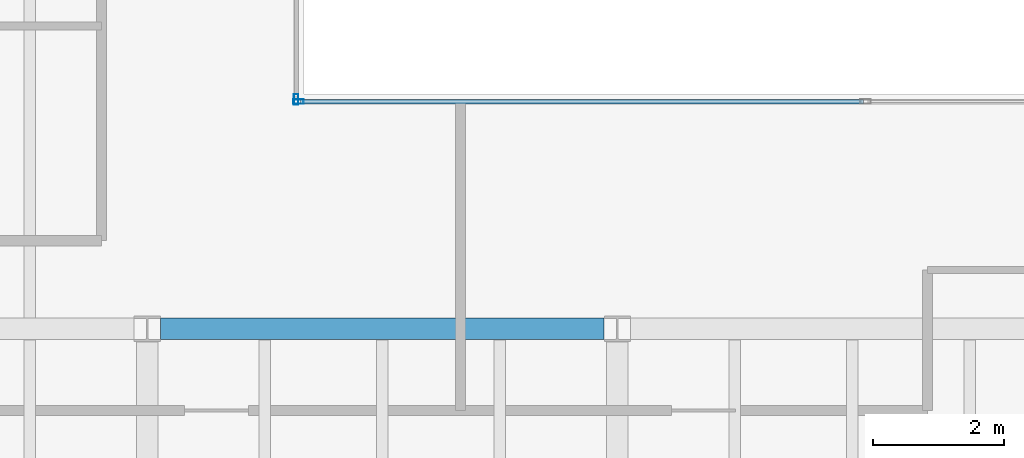
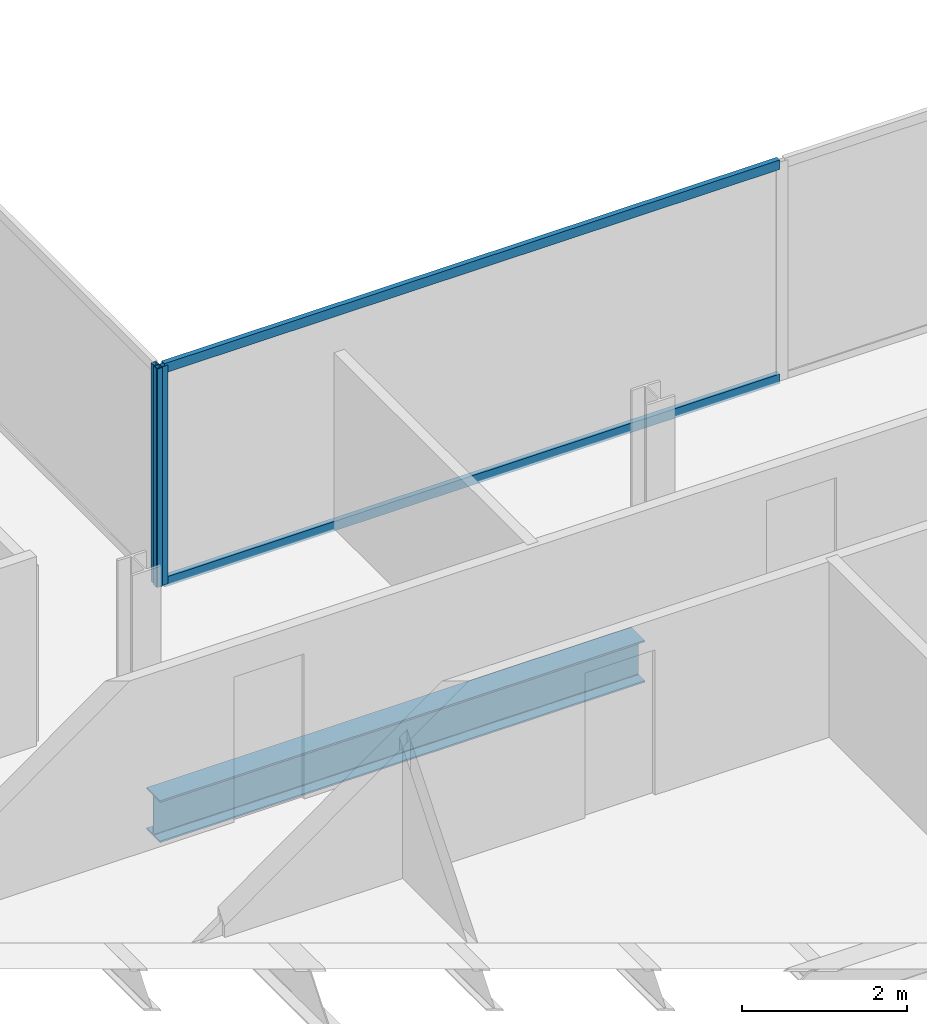
# One storey, part 8 of 23: 4 members, 1 beam, 2 elements without a shape of their own.
"""IFC4 building model written with IfcOpenShell, lengths in metres."""

from ifc_helpers import new_model, si_unit, direction, frame, origin, origin_2d, place, context, subcontext, project, spatial, hollow_rectangle, i_section, extrude, material, material_profile, profile_set, type_object, element, aggregate, save


model = new_model("IFC4")

# Units and contexts
model_context = context("Model", 3, precision=1e-05, world=origin(), true_north=direction((0.0, 1.0)))
body_context = subcontext(model_context, "Body", "Model", "MODEL_VIEW")
ifc_project = project(units=[si_unit("LENGTHUNIT", "METRE"), si_unit("AREAUNIT", "SQUARE_METRE"), si_unit("VOLUMEUNIT", "CUBIC_METRE"), si_unit("PLANEANGLEUNIT", "RADIAN"), si_unit("MASSUNIT", "GRAM", prefix="KILO")], contexts=[model_context])

# Site, building, storey
site_placement = place(None, origin())
site = spatial("IfcSite", under=ifc_project, at=site_placement, CompositionType="ELEMENT")
building_placement = place(site_placement, origin())
building = spatial("IfcBuilding", under=site, at=building_placement, Name="Cobrela Telecom Tower", CompositionType="ELEMENT")
storey_placement = place(building_placement, frame((0.0, 0.0, 190.75)))
storey = spatial("IfcBuildingStorey", under=building, at=storey_placement, Name="L48", CompositionType="ELEMENT", Elevation=190.75)

# Beam
ifc_material_1 = material(Name="Steel ASTM A992 Grade 50", Category="steel")
ifc_material_profile_1 = material_profile(ifc_material_1, i_section(OverallWidth=0.327880859375, OverallDepth=0.6220703125, WebThickness=0.015380859375, FlangeThickness=0.0244140625, FilletRadius=0.014892578125, at=origin_2d()), Name="W24X131")
ifc_profile_set_1 = profile_set([ifc_material_profile_1], Name="Steel ASTM A992 Grade 50")
beam_type = type_object("IfcBeamType", Name="BM-GIRD-06", PredefinedType="USERDEFINED", material=ifc_profile_set_1)
beam_placement = place(storey_placement, frame((21.804443359375, 21.60009765625, -0.571044921875), z_axis=(1.0, 0.0, 0.0), x_axis=(0.0, 1.0, 0.0)))
element("IfcBeam", 1, at=beam_placement, inside=storey, type_object=beam_type, Name="L48 Primary Girder X16", ObjectType="GIRDER", PredefinedType="USERDEFINED", context=body_context, shape_type="SweptSolid", body=[
    extrude(i_section(OverallWidth=0.327880859375, OverallDepth=0.6220703125, WebThickness=0.015380859375, FlangeThickness=0.0244140625, FilletRadius=0.014892578125, at=origin_2d()), origin(), (0.0, 0.0, 1.0), 6.791015625),
])

# Curtain wall, member
ifc_material_2 = material(Name="Anodized Bronze Aluminium 6063-T6", Category="aluminium")
curtain_wall_type = type_object("IfcCurtainWallType", Name="CW-SYS-OFF-LO", PredefinedType="USERDEFINED", material=ifc_material_2)
curtain_wall_1_placement = place(storey_placement, origin())
curtain_wall_1 = element("IfcCurtainWall", 2, at=curtain_wall_1_placement, inside=storey, type_object=curtain_wall_type, Name="L48 Unitised Bronze Curtain Wall 10", ObjectType="UNITISED CURTAIN WALL", PredefinedType="USERDEFINED")
ifc_material_profile_2 = material_profile(ifc_material_2, hollow_rectangle(XDim=0.070068359375, YDim=0.159912109375, WallThickness=0.00390625, at=origin_2d()), Name="ALU 70x160x4")
ifc_profile_set_2 = profile_set([ifc_material_profile_2], Name="Anodized Bronze Aluminium 6063-T6")
member_type_1 = type_object("IfcMemberType", Name="CW-SYS-OFF-LO-MUL", PredefinedType="MULLION", material=ifc_profile_set_2)
member_1_placement = place(storey_placement, frame((23.8798828125, 25.114990234375, 0.0), z_axis=(0.0, 0.0, 1.0), x_axis=(1.0, 0.0, 0.0)))
member_1 = element("IfcMember", 3, at=member_1_placement, type_object=member_type_1, Name="CW-OFF-LO mullion 3", PredefinedType="MULLION", context=body_context, shape_type="SweptSolid", body=[
    extrude(hollow_rectangle(XDim=0.070068359375, YDim=0.159912109375, WallThickness=0.00390625, at=origin_2d()), origin(), (0.0, 0.0, 1.0), 3.239990234375),
])
aggregate(curtain_wall_1, [member_1])

# Curtain wall, members
curtain_wall_2_placement = place(storey_placement, origin())
curtain_wall_2 = element("IfcCurtainWall", 4, at=curtain_wall_2_placement, inside=storey, type_object=curtain_wall_type, Name="L48 Unitised Bronze Curtain Wall 11", ObjectType="UNITISED CURTAIN WALL", PredefinedType="USERDEFINED")
member_2_placement = place(storey_placement, frame((23.9150390625, 25.080078125, 0.0), z_axis=(0.0, 0.0, 1.0), x_axis=(0.0, 1.0, 0.0)))
member_2 = element("IfcMember", 5, at=member_2_placement, type_object=member_type_1, Name="CW-OFF-LO mullion 1", PredefinedType="MULLION", context=body_context, shape_type="SweptSolid", body=[
    extrude(hollow_rectangle(XDim=0.070068359375, YDim=0.159912109375, WallThickness=0.00390625, at=origin_2d()), origin(), (0.0, 0.0, 1.0), 3.239990234375),
])
ifc_material_profile_3 = material_profile(ifc_material_2, hollow_rectangle(XDim=0.070068359375, YDim=0.139892578125, WallThickness=0.00390625, at=origin_2d()), Name="ALU 70x140x4")
ifc_profile_set_3 = profile_set([ifc_material_profile_3], Name="Anodized Bronze Aluminium 6063-T6")
member_type_2 = type_object("IfcMemberType", Name="CW-SYS-OFF-LO-TRN", PredefinedType="USERDEFINED", material=ifc_profile_set_3)
member_3_placement = place(storey_placement, frame((23.949951171875, 25.080078125, 0.034912109375), z_axis=(1.0, 0.0, 0.0), x_axis=(0.0, 1.0, 0.0)))
member_3 = element("IfcMember", 6, at=member_3_placement, type_object=member_type_2, Name="CW-OFF-LO transom 1.1", ObjectType="TRANSOM", PredefinedType="USERDEFINED", context=body_context, shape_type="SweptSolid", body=[
    extrude(hollow_rectangle(XDim=0.070068359375, YDim=0.139892578125, WallThickness=0.00390625, at=origin_2d()), origin(), (0.0, 0.0, 1.0), 8.6201171875),
])
member_4_placement = place(storey_placement, frame((23.949951171875, 25.080078125, 3.205078125), z_axis=(1.0, 0.0, 0.0), x_axis=(0.0, 1.0, 0.0)))
member_4 = element("IfcMember", 7, at=member_4_placement, type_object=member_type_2, Name="CW-OFF-LO transom 1.2", ObjectType="TRANSOM", PredefinedType="USERDEFINED", context=body_context, shape_type="SweptSolid", body=[
    extrude(hollow_rectangle(XDim=0.070068359375, YDim=0.139892578125, WallThickness=0.00390625, at=origin_2d()), origin(), (0.0, 0.0, 1.0), 8.6201171875),
])
aggregate(curtain_wall_2, [member_2, member_3, member_4])

save(model, "model.ifc")
